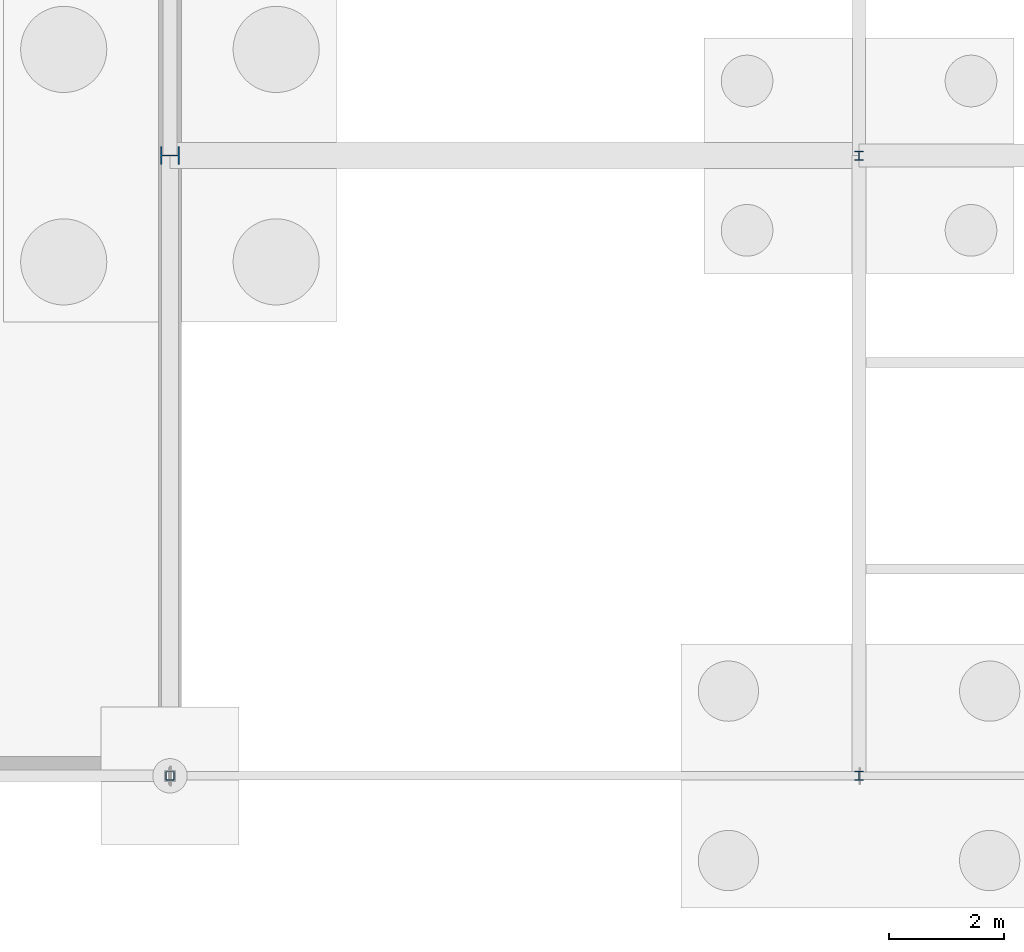
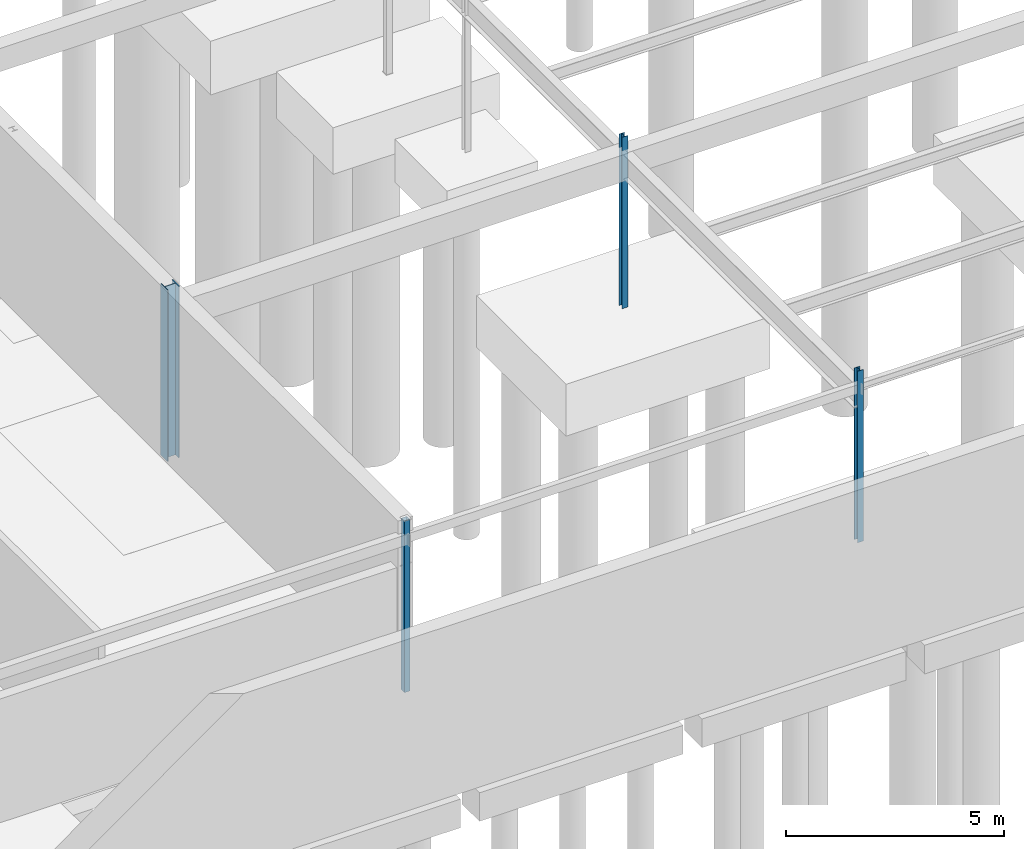
# One storey, part 44 of 136: 4 columns.
"""IFC4 building model written with IfcOpenShell, lengths in metres."""

from ifc_helpers import new_model, si_unit, direction, frame, origin, origin_2d, place, context, subcontext, project, spatial, hollow_rectangle, i_section, extrude, material, material_profile, profile_set, type_object, element, save


model = new_model("IFC4")

# Units and contexts
model_context = context("Model", 3, precision=1e-05, world=origin(), true_north=direction((0.0, 1.0)))
body_context = subcontext(model_context, "Body", "Model", "MODEL_VIEW")
ifc_project = project(units=[si_unit("LENGTHUNIT", "METRE"), si_unit("AREAUNIT", "SQUARE_METRE"), si_unit("VOLUMEUNIT", "CUBIC_METRE"), si_unit("PLANEANGLEUNIT", "RADIAN"), si_unit("MASSUNIT", "GRAM", prefix="KILO")], contexts=[model_context])

# Site, building, storey
site_placement = place(None, origin())
site = spatial("IfcSite", under=ifc_project, at=site_placement, CompositionType="ELEMENT")
building_placement = place(site_placement, origin())
building = spatial("IfcBuilding", under=site, at=building_placement, Name="Tarnwether General Hospital", CompositionType="ELEMENT")
storey_placement = place(building_placement, frame((0.0, 0.0, -4.800048828125)))
storey = spatial("IfcBuildingStorey", under=building, at=storey_placement, Name="LG", CompositionType="ELEMENT", Elevation=-4.800048828125)

# Columns
ifc_material_1 = material(Name="Steel Grade 350 (350 MPa)", Category="steel")
ifc_material_profile_1 = material_profile(ifc_material_1, i_section(OverallWidth=0.31103515625, OverallDepth=0.326904296875, WebThickness=0.015625, FlangeThickness=0.02490234375, at=origin_2d()), Name="310UC158")
ifc_profile_set_1 = profile_set([ifc_material_profile_1], Name="Steel Grade 350 (350 MPa)")
column_type_1 = type_object("IfcColumnType", Name="COL-05", PredefinedType="COLUMN", material=ifc_profile_set_1)
column_1_placement = place(storey_placement, frame((132.0, 10.800048828125, 0.0), z_axis=(0.0, 0.0, 1.0), x_axis=(0.0, 1.0, 0.0)))
element("IfcColumn", 1, at=column_1_placement, inside=storey, type_object=column_type_1, Name="Column COLG-LG-13200_1080", PredefinedType="COLUMN", context=body_context, shape_type="SweptSolid", body=[
    extrude(i_section(OverallWidth=0.31103515625, OverallDepth=0.326904296875, WebThickness=0.015625, FlangeThickness=0.02490234375, at=origin_2d()), origin(), (0.0, 0.0, 1.0), 4.800048828125),
])
ifc_material_2 = material(Name="Steel Grade 350 (350 MPa)", Category="steel")
ifc_material_profile_2 = material_profile(ifc_material_2, i_section(OverallWidth=0.153076171875, OverallDepth=0.157958984375, WebThickness=0.006591796875, FlangeThickness=0.009521484375, at=origin_2d()), Name="150UC30.0")
ifc_profile_set_2 = profile_set([ifc_material_profile_2], Name="Steel Grade 350 (350 MPa)")
column_type_2 = type_object("IfcColumnType", Name="COL-31", PredefinedType="COLUMN", material=ifc_profile_set_2)
column_2_placement = place(storey_placement, frame((144.0, 0.0, 0.0), z_axis=(0.0, 0.0, 1.0), x_axis=(1.0, 0.0, 0.0)))
element("IfcColumn", 2, at=column_2_placement, inside=storey, type_object=column_type_2, Name="Column COLG-LG-14400_0", PredefinedType="COLUMN", context=body_context, shape_type="SweptSolid", body=[
    extrude(i_section(OverallWidth=0.153076171875, OverallDepth=0.157958984375, WebThickness=0.006591796875, FlangeThickness=0.009521484375, at=origin_2d()), origin(), (0.0, 0.0, 1.0), 4.800048828125),
])
ifc_material_3 = material(Name="Steel Grade 350 (350 MPa)", Category="steel")
ifc_material_profile_3 = material_profile(ifc_material_3, i_section(OverallWidth=0.152099609375, OverallDepth=0.152099609375, WebThickness=0.006103515625, FlangeThickness=0.0068359375, at=origin_2d()), Name="150UC23.4")
ifc_profile_set_3 = profile_set([ifc_material_profile_3], Name="Steel Grade 350 (350 MPa)")
column_type_3 = type_object("IfcColumnType", Name="COL-32", PredefinedType="COLUMN", material=ifc_profile_set_3)
column_3_placement = place(storey_placement, frame((144.0, 10.800048828125, 0.0), z_axis=(0.0, 0.0, 1.0), x_axis=(1.0, 0.0, 0.0)))
element("IfcColumn", 3, at=column_3_placement, inside=storey, type_object=column_type_3, Name="Column COLG-LG-14400_1080", PredefinedType="COLUMN", context=body_context, shape_type="SweptSolid", body=[
    extrude(i_section(OverallWidth=0.152099609375, OverallDepth=0.152099609375, WebThickness=0.006103515625, FlangeThickness=0.0068359375, at=origin_2d()), origin(), (0.0, 0.0, 1.0), 4.800048828125),
])
ifc_material_4 = material(Name="Steel Grade C350L0 (350 MPa)", Category="steel")
ifc_material_profile_4 = material_profile(ifc_material_4, hollow_rectangle(XDim=0.14990234375, YDim=0.14990234375, WallThickness=0.008056640625, at=origin_2d()), Name="SHS150x150x8")
ifc_profile_set_4 = profile_set([ifc_material_profile_4], Name="Steel Grade C350L0 (350 MPa)")
column_type_4 = type_object("IfcColumnType", Name="COL-33", PredefinedType="COLUMN", material=ifc_profile_set_4)
column_4_placement = place(storey_placement, frame((132.0, 0.0, 0.0), z_axis=(0.0, 0.0, 1.0), x_axis=(0.0, 1.0, 0.0)))
element("IfcColumn", 4, at=column_4_placement, inside=storey, type_object=column_type_4, Name="Column COLG-LG-13200_0", PredefinedType="COLUMN", context=body_context, shape_type="SweptSolid", body=[
    extrude(hollow_rectangle(XDim=0.14990234375, YDim=0.14990234375, WallThickness=0.008056640625, at=origin_2d()), origin(), (0.0, 0.0, 1.0), 4.800048828125),
])

save(model, "model.ifc")
